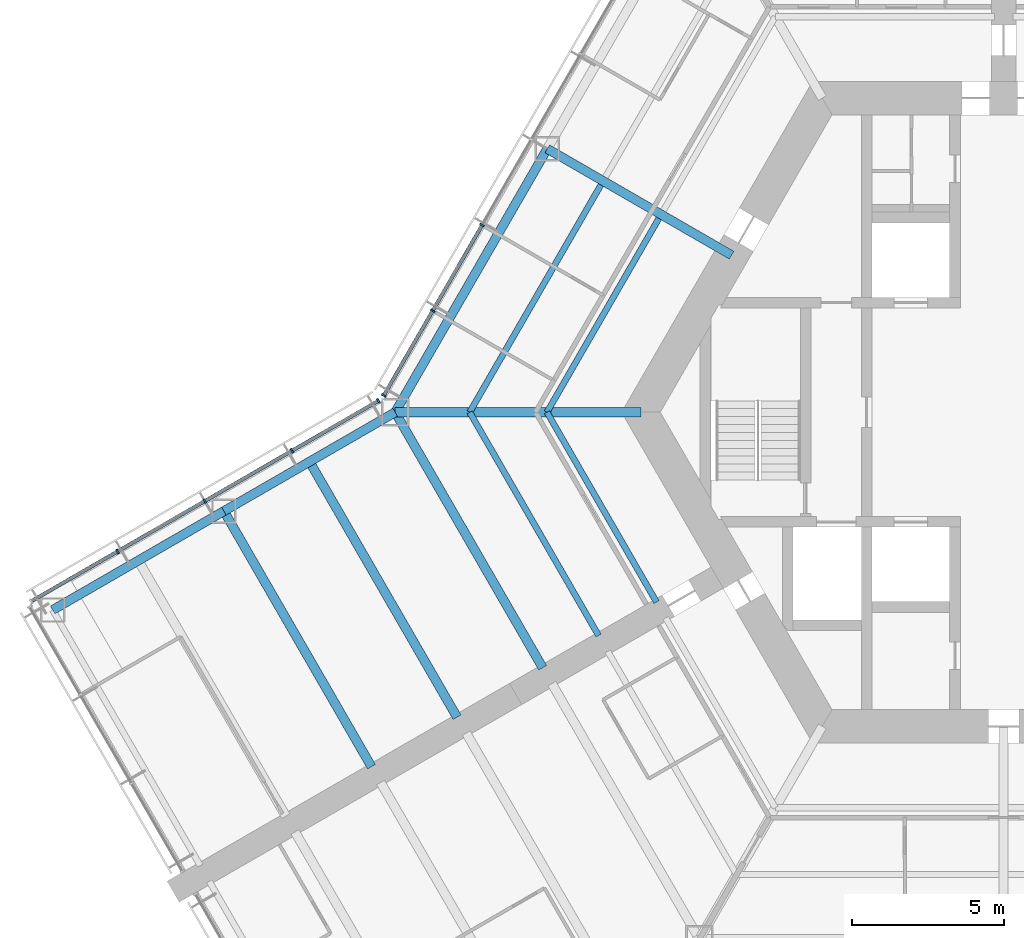
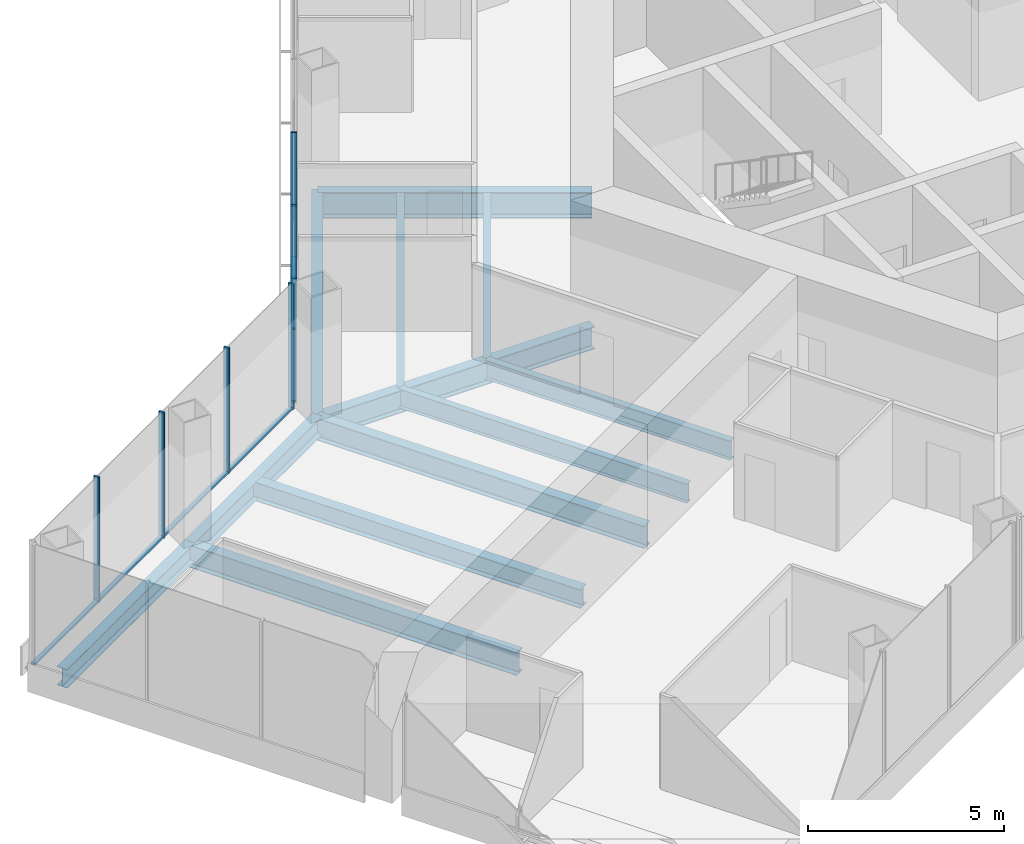
# One storey, part 4 of 19: 13 members, 12 beams, 2 elements without a shape of their own.
"""IFC4 building model written with IfcOpenShell, lengths in metres."""

import ifcopenshell
import ifcopenshell.guid

model = None  # the IFC model being written
_history = None  # IfcOwnerHistory: only IFC2X3 demands one
_inside = {}  # id of a spatial element -> (the spatial element, [elements in it])
_under = {}  # id of a project, library or spatial element -> (it, [spatial elements below it])
_declared = {}  # id of a project -> (the project, [libraries it declares])
_typed = {}  # id of a type object -> (the type object, [elements of that type])
_made_of = {}  # id of a material, layer set ... -> (it, [elements and type objects made of it])


def new_model(schema):
    """Start an empty IFC model of exactly this schema.

    Asked for "IFC4X3", IfcOpenShell would pick the latest addendum, in which some entities
    have other attributes; the version numbers below select the first issue.
    IFC2X3 requires an IfcOwnerHistory on every rooted entity: one is made here for all.
    """
    global model, _history
    if schema == "IFC4X3":
        model = ifcopenshell.file(schema_version=(4, 3, 0, 0))
    else:
        model = ifcopenshell.file(schema=schema)
    _inside.clear()
    _under.clear()
    _declared.clear()
    _typed.clear()
    _made_of.clear()
    _history = None
    if model.schema == "IFC2X3":
        org = make("IfcOrganization", Name="unknown")
        user = make(
            "IfcPersonAndOrganization",
            ThePerson=make("IfcPerson", FamilyName="unknown"),
            TheOrganization=org,
        )
        app = make(
            "IfcApplication",
            ApplicationDeveloper=org,
            Version="unknown",
            ApplicationFullName="unknown",
            ApplicationIdentifier="unknown",
        )
        _history = make(
            "IfcOwnerHistory",
            OwningUser=user,
            OwningApplication=app,
            ChangeAction="ADDED",
            CreationDate=0,
        )
    return model


def make(cls, **values):
    """One entity of the class cls with the attributes given. An attribute that is None is left unset."""
    return model.create_entity(
        cls, **{name: value for name, value in values.items() if value is not None}
    )


def rooted(cls, **values):
    """An entity with a GlobalId (a new one), such as an element, a storey or a relation."""
    return make(cls, GlobalId=ifcopenshell.guid.new(), OwnerHistory=_history, **values)


def si_unit(unit_type, name, prefix=None):
    """IfcSIUnit, for example si_unit("LENGTHUNIT", "METRE", prefix="MILLI")."""
    return make("IfcSIUnit", UnitType=unit_type, Prefix=prefix, Name=name)


def assignment(units):
    """IfcUnitAssignment: the units of a project."""
    return None if units is None else make("IfcUnitAssignment", Units=units)


def point(xyz):
    """IfcCartesianPoint."""
    return None if xyz is None else make("IfcCartesianPoint", Coordinates=xyz)


def direction(xyz):
    """IfcDirection."""
    return None if xyz is None else make("IfcDirection", DirectionRatios=xyz)


def frame(location, z_axis=None, x_axis=None):
    """IfcAxis2Placement3D, a coordinate frame: its origin and axes. An axis left out is left unset."""
    return make(
        "IfcAxis2Placement3D",
        Location=point(location),
        Axis=direction(z_axis),
        RefDirection=direction(x_axis),
    )


def frame_2d(location, x_axis=None):
    """IfcAxis2Placement2D, a coordinate frame in the plane: its origin and x axis."""
    return make(
        "IfcAxis2Placement2D", Location=point(location), RefDirection=direction(x_axis)
    )


def origin():
    """The frame at (0, 0, 0) with its axes left unset."""
    return frame((0.0, 0.0, 0.0))


def origin_2d():
    """The frame at (0, 0) in the plane with its x axis left unset."""
    return frame_2d((0.0, 0.0))


def place(relative_to, where):
    """IfcLocalPlacement: puts the frame where relative to a parent placement (None: the world)."""
    return make(
        "IfcLocalPlacement", PlacementRelTo=relative_to, RelativePlacement=where
    )


def context(
    kind, dimensions, precision=None, world=None, true_north=None, identifier=None
):
    """IfcGeometricRepresentationContext, for example the 3D "Model" context."""
    return make(
        "IfcGeometricRepresentationContext",
        ContextIdentifier=identifier,
        ContextType=kind,
        CoordinateSpaceDimension=dimensions,
        Precision=precision,
        WorldCoordinateSystem=world,
        TrueNorth=true_north,
    )


def subcontext(parent, identifier, kind, view, scale=None):
    """IfcGeometricRepresentationSubContext, for example "Body" below "Model"."""
    return make(
        "IfcGeometricRepresentationSubContext",
        ContextIdentifier=identifier,
        ContextType=kind,
        ParentContext=parent,
        TargetScale=scale,
        TargetView=view,
    )


def project(units=None, contexts=None):
    """IfcProject with its units and contexts."""
    return rooted(
        "IfcProject",
        Name="project",
        RepresentationContexts=contexts,
        UnitsInContext=assignment(units),
    )


def spatial(cls, under=None, at=None, **own):
    """A site, building, storey or space (cls), placed at a placement, below another one or the project."""
    s = rooted(cls, ObjectPlacement=at, **own)
    if under is not None:
        _under.setdefault(under.id(), (under, []))[1].append(s)
    return s


def profile(cls, at=None, kind="AREA", **sizes):
    """A parametric profile (cls). Its sizes go by their IFC names, for example OverallWidth=200.0."""
    return make(cls, ProfileType=kind, Position=at, **sizes)


def rectangle(**sizes):
    """IfcRectangleProfileDef."""
    return profile("IfcRectangleProfileDef", **sizes)


def i_section(**sizes):
    """IfcIShapeProfileDef."""
    return profile("IfcIShapeProfileDef", **sizes)


def extrude(swept, where, along, depth):
    """IfcExtrudedAreaSolid: the profile swept, set in the frame where, extruded along a direction by depth."""
    return make(
        "IfcExtrudedAreaSolid",
        SweptArea=swept,
        Position=where,
        ExtrudedDirection=direction(along),
        Depth=depth,
    )


def shape(context_of_items, identifier, shape_type, items):
    """IfcShapeRepresentation: the items that make up one representation, for example the "Body"."""
    return make(
        "IfcShapeRepresentation",
        ContextOfItems=context_of_items,
        RepresentationIdentifier=identifier,
        RepresentationType=shape_type,
        Items=items,
    )


def material(Name=None, Category=None):
    """IfcMaterial."""
    return make("IfcMaterial", Name=Name, Category=Category)


def material_profile(
    of_material, cross_section, Name=None, Category=None, Priority=None
):
    """IfcMaterialProfile: a cross section and its material."""
    return make(
        "IfcMaterialProfile",
        Name=Name,
        Material=of_material,
        Profile=cross_section,
        Priority=Priority,
        Category=Category,
    )


def profile_set(profiles, Name=None, composite=None):
    """IfcMaterialProfileSet."""
    return make(
        "IfcMaterialProfileSet",
        Name=Name,
        MaterialProfiles=profiles,
        CompositeProfile=composite,
    )


def made_of(thing, what):
    """Note that an element or type object is made of a material, layer set ...; save() writes the relation."""
    if what is not None:
        _made_of.setdefault(what.id(), (what, []))[1].append(thing)
    return thing


def type_object(cls, material=None, **own):
    """A type object (cls), such as IfcWallType, which elements share."""
    return made_of(rooted(cls, **own), material)


def element(
    cls,
    number,
    at=None,
    inside=None,
    cuts=None,
    type_object=None,
    material=None,
    context=None,
    identifier="Body",
    shape_type=None,
    held_by="IfcProductDefinitionShape",
    body=None,
    shapes=None,
    **own,
):
    """One element of the class cls, such as IfcWall. Its Tag is "e" and its number.

    at: its placement. inside: the storey or other place that contains it. cuts: it is an
    opening in that element (IfcRelVoidsElement). A single representation is given by context,
    identifier, shape_type and body (its items); several are given by shapes. held_by: the class
    of the entity that holds the representations. save() writes the other relations.
    """
    e = rooted(cls, Tag="e%d" % number, ObjectPlacement=at, **own)
    if body is not None:
        shapes = [shape(context, identifier, shape_type, body)]
    if shapes is not None:
        e.Representation = make(held_by, Representations=shapes)
    if inside is not None:
        _inside.setdefault(inside.id(), (inside, []))[1].append(e)
    if cuts is not None:
        rooted(
            "IfcRelVoidsElement", RelatingBuildingElement=cuts, RelatedOpeningElement=e
        )
    if type_object is not None:
        _typed.setdefault(type_object.id(), (type_object, []))[1].append(e)
    return made_of(e, material)


def aggregate(whole, parts):
    """IfcRelAggregates: a whole, such as a stair, and the parts it consists of."""
    return rooted("IfcRelAggregates", RelatingObject=whole, RelatedObjects=parts)


def save(model, path):
    """Write the relations noted so far, then the file.

    IfcRelAggregates (storeys below a building ...), IfcRelContainedInSpatialStructure (elements
    in a storey), IfcRelDefinesByType, IfcRelAssociatesMaterial and IfcRelDeclares: one each for
    every whole, place, type object, material and project.
    """
    for whole, parts in _under.values():
        aggregate(whole, parts)
    for where, things in _inside.values():
        rooted(
            "IfcRelContainedInSpatialStructure",
            RelatedElements=things,
            RelatingStructure=where,
        )
    for kind, things in _typed.values():
        rooted("IfcRelDefinesByType", RelatedObjects=things, RelatingType=kind)
    for what, things in _made_of.values():
        rooted("IfcRelAssociatesMaterial", RelatedObjects=things, RelatingMaterial=what)
    for by, libraries in _declared.values():
        rooted("IfcRelDeclares", RelatingContext=by, RelatedDefinitions=libraries)
    model.write(path)


model = new_model("IFC4")

# Units and contexts
model_context = context("Model", 3, precision=1e-05, world=origin(), true_north=direction((0.0, 1.0)))
body_context = subcontext(model_context, "Body", "Model", "MODEL_VIEW")
ifc_project = project(units=[si_unit("LENGTHUNIT", "METRE"), si_unit("AREAUNIT", "SQUARE_METRE"), si_unit("VOLUMEUNIT", "CUBIC_METRE"), si_unit("PLANEANGLEUNIT", "RADIAN"), si_unit("MASSUNIT", "GRAM", prefix="KILO")], contexts=[model_context])

# Site, building, storey
site_placement = place(None, origin())
site = spatial("IfcSite", under=ifc_project, at=site_placement, CompositionType="ELEMENT")
building_placement = place(site_placement, origin())
building = spatial("IfcBuilding", under=site, at=building_placement, Name="Kasaneha Research Tower", CompositionType="ELEMENT")
storey_placement = place(building_placement, frame((0.0, 0.0, 92.39990234375)))
storey = spatial("IfcBuildingStorey", under=building, at=storey_placement, Name="L23", CompositionType="ELEMENT", Elevation=92.39990234375)

# Beams
ifc_material_1 = material(Name="Steel SN490B", Category="steel")
ifc_material_profile_1 = material_profile(ifc_material_1, i_section(OverallWidth=0.199951171875, OverallDepth=0.60009765625, WebThickness=0.010986328125, FlangeThickness=0.01708984375, FilletRadius=0.012939453125, at=origin_2d()), Name="H-600x200x11x17")
ifc_profile_set_1 = profile_set([ifc_material_profile_1], Name="Steel SN490B")
beam_type_1 = type_object("IfcBeamType", Name="B1-3 secondary beam H-600x200x11x17", PredefinedType="JOIST", material=ifc_profile_set_1)
beam_1_placement = place(storey_placement, frame((-15.010986328125, 0.0, -0.449951171875), z_axis=(0.499994443168, 0.866028611999, 0.0), x_axis=(-0.866028611999, 0.499994443168, 0.0)))
element("IfcBeam", 1, at=beam_1_placement, inside=storey, type_object=beam_type_1, Name="Secondary beam RS150R1 L23", PredefinedType="JOIST", context=body_context, shape_type="SweptSolid", body=[
    extrude(i_section(OverallWidth=0.199951171875, OverallDepth=0.60009765625, WebThickness=0.010986328125, FlangeThickness=0.01708984375, FilletRadius=0.012939453125, at=origin_2d()), origin(), (0.0, 0.0, 1.0), 7.35546875),
])
beam_2_placement = place(storey_placement, frame((-17.551513671875, 0.0, -0.449951171875), z_axis=(0.5000050195, 0.866022505755, 0.0), x_axis=(-0.866022505755, 0.5000050195, 0.0)))
element("IfcBeam", 2, at=beam_2_placement, inside=storey, type_object=beam_type_1, Name="Secondary beam RS150R2 L23", PredefinedType="JOIST", context=body_context, shape_type="SweptSolid", body=[
    extrude(i_section(OverallWidth=0.199951171875, OverallDepth=0.60009765625, WebThickness=0.010986328125, FlangeThickness=0.01708984375, FilletRadius=0.012939453125, at=origin_2d()), origin(), (0.0, 0.0, 1.0), 8.6259765625),
])
beam_3_placement = place(storey_placement, frame((-15.010986328125, 0.0, -0.449951171875), z_axis=(0.499972735707, -0.866041144259, 0.0), x_axis=(0.866041144259, 0.499972735707, 0.0)))
element("IfcBeam", 3, at=beam_3_placement, inside=storey, type_object=beam_type_1, Name="Secondary beam RS210L1 L23", PredefinedType="JOIST", context=body_context, shape_type="SweptSolid", body=[
    extrude(i_section(OverallWidth=0.199951171875, OverallDepth=0.60009765625, WebThickness=0.010986328125, FlangeThickness=0.01708984375, FilletRadius=0.012939453125, at=origin_2d()), origin(), (0.0, 0.0, 1.0), 7.20556640625),
])
beam_4_placement = place(storey_placement, frame((-17.551513671875, 0.0, -0.449951171875), z_axis=(0.500020829043, -0.866013377797, 0.0), x_axis=(0.866013377797, 0.500020829043, 0.0)))
element("IfcBeam", 4, at=beam_4_placement, inside=storey, type_object=beam_type_1, Name="Secondary beam RS210L2 L23", PredefinedType="JOIST", context=body_context, shape_type="SweptSolid", body=[
    extrude(i_section(OverallWidth=0.199951171875, OverallDepth=0.60009765625, WebThickness=0.010986328125, FlangeThickness=0.01708984375, FilletRadius=0.012939453125, at=origin_2d()), origin(), (0.0, 0.0, 1.0), 8.475830078125),
])
ifc_material_2 = material(Name="Steel SN490B", Category="steel")
ifc_material_profile_2 = material_profile(ifc_material_2, i_section(OverallWidth=0.300048828125, OverallDepth=0.58203125, WebThickness=0.011962890625, FlangeThickness=0.01708984375, FilletRadius=0.012939453125, at=origin_2d()), Name="H-582x300x12x17")
ifc_profile_set_2 = profile_set([ifc_material_profile_2], Name="Steel SN490B")
beam_type_2 = type_object("IfcBeamType", Name="B2-3 secondary beam H-582x300x12x17", PredefinedType="JOIST", material=ifc_profile_set_2)
beam_5_placement = place(storey_placement, frame((-22.814697265625, -1.625, -0.44091796875), z_axis=(0.500010041276, -0.866019606374, 0.0), x_axis=(0.866019606374, 0.500010041276, 0.0)))
element("IfcBeam", 5, at=beam_5_placement, inside=storey, type_object=beam_type_2, Name="Secondary beam WBBP1 L23", PredefinedType="JOIST", context=body_context, shape_type="SweptSolid", body=[
    extrude(i_section(OverallWidth=0.300048828125, OverallDepth=0.58203125, WebThickness=0.011962890625, FlangeThickness=0.01708984375, FilletRadius=0.012939453125, at=origin_2d()), origin(), (0.0, 0.0, 1.0), 9.699951171875),
])

# Curtain wall, members
ifc_material_3 = material(Name="Glass and aluminium", Category="aluminium")
curtain_wall_type = type_object("IfcCurtainWallType", Name="Low-rise office curtain wall", PredefinedType="USERDEFINED", material=ifc_material_3)
curtain_wall_1_placement = place(storey_placement, origin())
curtain_wall_1 = element("IfcCurtainWall", 6, at=curtain_wall_1_placement, inside=storey, type_object=curtain_wall_type, Name="CW-O1 L23 run 12a", ObjectType="UNITISED CURTAIN WALL", PredefinedType="USERDEFINED")
ifc_material_4 = material(Name="Aluminium 6063-T6", Category="aluminium")
ifc_material_profile_3 = material_profile(ifc_material_4, rectangle(XDim=0.06005859375, YDim=0.159912109375, at=origin_2d()), Name="CW-O1 mullion 60x160")
ifc_profile_set_3 = profile_set([ifc_material_profile_3], Name="Aluminium 6063-T6")
member_type_1 = type_object("IfcMemberType", Name="CW-O1 mullion", PredefinedType="MULLION", material=ifc_profile_set_3)
member_1_placement = place(storey_placement, frame((-17.142822265625, 6.148681640625, 0.0), z_axis=(0.0, 0.0, 1.0), x_axis=(-0.49999996188, -0.866025425793, 0.0)))
member_1 = element("IfcMember", 7, at=member_1_placement, type_object=member_type_1, Name="CW-O1 mullion 5", PredefinedType="MULLION", context=body_context, shape_type="SweptSolid", body=[
    extrude(rectangle(XDim=0.06005859375, YDim=0.159912109375, at=origin_2d()), origin(), (0.0, 0.0, 1.0), 3.900146484375),
])
member_2_placement = place(storey_placement, frame((-18.76611328125, 3.33740234375, 0.0), z_axis=(0.0, 0.0, 1.0), x_axis=(-0.49999996188, -0.866025425793, 0.0)))
member_2 = element("IfcMember", 8, at=member_2_placement, type_object=member_type_1, Name="CW-O1 mullion 6", PredefinedType="MULLION", context=body_context, shape_type="SweptSolid", body=[
    extrude(rectangle(XDim=0.06005859375, YDim=0.159912109375, at=origin_2d()), origin(), (0.0, 0.0, 1.0), 3.900146484375),
])
member_3_placement = place(storey_placement, frame((-20.374267578125, 0.5517578125, 0.0), z_axis=(0.0, 0.0, 1.0), x_axis=(-0.49999996188, -0.866025425793, 0.0)))
member_3 = element("IfcMember", 9, at=member_3_placement, type_object=member_type_1, Name="CW-O1 mullion 7", PredefinedType="MULLION", context=body_context, shape_type="SweptSolid", body=[
    extrude(rectangle(XDim=0.06005859375, YDim=0.159912109375, at=origin_2d()), origin(), (0.0, 0.0, 1.0), 3.900146484375),
])

curtain_wall_2_placement = place(storey_placement, origin())
curtain_wall_2 = element("IfcCurtainWall", 10, at=curtain_wall_2_placement, inside=storey, type_object=curtain_wall_type, Name="CW-O1 L23 run 13a", ObjectType="UNITISED CURTAIN WALL", PredefinedType="USERDEFINED")
member_4_placement = place(storey_placement, frame((-20.5517578125, 0.374267578125, 0.0), z_axis=(0.0, 0.0, 1.0), x_axis=(-0.866025411464, -0.499999986699, 0.0)))
member_4 = element("IfcMember", 11, at=member_4_placement, type_object=member_type_1, Name="CW-O1 mullion 1", PredefinedType="MULLION", context=body_context, shape_type="SweptSolid", body=[
    extrude(rectangle(XDim=0.06005859375, YDim=0.159912109375, at=origin_2d()), origin(), (0.0, 0.0, 1.0), 3.900146484375),
])
member_5_placement = place(storey_placement, frame((-23.39208984375, -1.265625, 0.0), z_axis=(0.0, 0.0, 1.0), x_axis=(-0.866025411464, -0.499999986699, 0.0)))
member_5 = element("IfcMember", 12, at=member_5_placement, type_object=member_type_1, Name="CW-O1 mullion 2", PredefinedType="MULLION", context=body_context, shape_type="SweptSolid", body=[
    extrude(rectangle(XDim=0.06005859375, YDim=0.159912109375, at=origin_2d()), origin(), (0.0, 0.0, 1.0), 3.900146484375),
])
member_6_placement = place(storey_placement, frame((-26.258544921875, -2.920654296875, 0.0), z_axis=(0.0, 0.0, 1.0), x_axis=(-0.866025411464, -0.499999986699, 0.0)))
member_6 = element("IfcMember", 13, at=member_6_placement, type_object=member_type_1, Name="CW-O1 mullion 3", PredefinedType="MULLION", context=body_context, shape_type="SweptSolid", body=[
    extrude(rectangle(XDim=0.06005859375, YDim=0.159912109375, at=origin_2d()), origin(), (0.0, 0.0, 1.0), 3.900146484375),
])
member_7_placement = place(storey_placement, frame((-29.125, -4.575439453125, 0.0), z_axis=(0.0, 0.0, 1.0), x_axis=(-0.866025411464, -0.499999986699, 0.0)))
member_7 = element("IfcMember", 14, at=member_7_placement, type_object=member_type_1, Name="CW-O1 mullion 4", PredefinedType="MULLION", context=body_context, shape_type="SweptSolid", body=[
    extrude(rectangle(XDim=0.06005859375, YDim=0.159912109375, at=origin_2d()), origin(), (0.0, 0.0, 1.0), 3.900146484375),
])

# Member
ifc_material_5 = material(Name="Aluminium 6063-T6", Category="aluminium")
ifc_material_profile_4 = material_profile(ifc_material_5, rectangle(XDim=0.1201171875, YDim=0.06005859375, at=origin_2d()), Name="CW-O1 transom 120x60")
ifc_profile_set_4 = profile_set([ifc_material_profile_4], Name="Aluminium 6063-T6")
member_type_2 = type_object("IfcMemberType", Name="CW-O1 transom", PredefinedType="USERDEFINED", material=ifc_profile_set_4)
member_8_placement = place(storey_placement, frame((-17.15771484375, 6.122802734375, 0.030029296875), z_axis=(-0.500012062035, -0.866018439653, 0.0), x_axis=(0.866018439653, -0.500012062035, 0.0)))
member_8 = element("IfcMember", 15, at=member_8_placement, type_object=member_type_2, Name="CW-O1 transom 5", ObjectType="TRANSOM", PredefinedType="USERDEFINED", context=body_context, shape_type="SweptSolid", body=[
    extrude(rectangle(XDim=0.1201171875, YDim=0.06005859375, at=origin_2d()), origin(), (0.0, 0.0, 1.0), 3.1865234375),
])

member_9_placement = place(storey_placement, frame((-18.781005859375, 3.311279296875, 0.030029296875), z_axis=(-0.499999210213, -0.866025859768, 0.0), x_axis=(0.866025859768, -0.499999210213, 0.0)))
member_9 = element("IfcMember", 16, at=member_9_placement, type_object=member_type_2, Name="CW-O1 transom 6", ObjectType="TRANSOM", PredefinedType="USERDEFINED", context=body_context, shape_type="SweptSolid", body=[
    extrude(rectangle(XDim=0.1201171875, YDim=0.06005859375, at=origin_2d()), origin(), (0.0, 0.0, 1.0), 3.15625),
])

aggregate(curtain_wall_1, [member_1, member_2, member_3, member_8, member_9])

member_10_placement = place(storey_placement, frame((-20.577880859375, 0.359130859375, 0.030029296875), z_axis=(-0.866022692473, -0.500004696101, 0.0), x_axis=(0.500004696101, -0.866022692473, 0.0)))
member_10 = element("IfcMember", 17, at=member_10_placement, type_object=member_type_2, Name="CW-O1 transom 1", ObjectType="TRANSOM", PredefinedType="USERDEFINED", context=body_context, shape_type="SweptSolid", body=[
    extrude(rectangle(XDim=0.1201171875, YDim=0.06005859375, at=origin_2d()), origin(), (0.0, 0.0, 1.0), 3.2197265625),
])

member_11_placement = place(storey_placement, frame((-23.418212890625, -1.28076171875, 0.030029296875), z_axis=(-0.86604797581, -0.499960902066, 0.0), x_axis=(0.499960902066, -0.86604797581, 0.0)))
member_11 = element("IfcMember", 18, at=member_11_placement, type_object=member_type_2, Name="CW-O1 transom 2", ObjectType="TRANSOM", PredefinedType="USERDEFINED", context=body_context, shape_type="SweptSolid", body=[
    extrude(rectangle(XDim=0.1201171875, YDim=0.06005859375, at=origin_2d()), origin(), (0.0, 0.0, 1.0), 3.249755859375),
])

member_12_placement = place(storey_placement, frame((-26.28466796875, -2.935546875, 0.030029296875), z_axis=(-0.86599666273, -0.500049777664, 0.0), x_axis=(0.500049777664, -0.86599666273, 0.0)))
member_12 = element("IfcMember", 19, at=member_12_placement, type_object=member_type_2, Name="CW-O1 transom 3", ObjectType="TRANSOM", PredefinedType="USERDEFINED", context=body_context, shape_type="SweptSolid", body=[
    extrude(rectangle(XDim=0.1201171875, YDim=0.06005859375, at=origin_2d()), origin(), (0.0, 0.0, 1.0), 3.249755859375),
])

member_13_placement = place(storey_placement, frame((-29.15087890625, -4.590576171875, 0.030029296875), z_axis=(-0.866041647767, -0.499971863542, 0.0), x_axis=(0.499971863542, -0.866041647767, 0.0)))
member_13 = element("IfcMember", 20, at=member_13_placement, type_object=member_type_2, Name="CW-O1 transom 4", ObjectType="TRANSOM", PredefinedType="USERDEFINED", context=body_context, shape_type="SweptSolid", body=[
    extrude(rectangle(XDim=0.1201171875, YDim=0.06005859375, at=origin_2d()), origin(), (0.0, 0.0, 1.0), 3.219970703125),
])

aggregate(curtain_wall_2, [member_4, member_5, member_6, member_7, member_10, member_11, member_12, member_13])

# Beams
ifc_material_6 = material(Name="Steel SN490B", Category="steel")
ifc_material_profile_5 = material_profile(ifc_material_6, i_section(OverallWidth=0.300048828125, OverallDepth=0.699951171875, WebThickness=0.012939453125, FlangeThickness=0.02392578125, FilletRadius=0.01806640625, at=origin_2d()), Name="H-700x300x13x24")
ifc_profile_set_5 = profile_set([ifc_material_profile_5], Name="Steel SN490B")
beam_type_3 = type_object("IfcBeamType", Name="G1-3 radial girder H-700x300x13x24", PredefinedType="BEAM", material=ifc_profile_set_5)
beam_6_placement = place(storey_placement, frame((-11.92236328125, 0.0, -0.5), z_axis=(-1.0, 0.0, 0.0), x_axis=(0.0, -1.0, 0.0)))
element("IfcBeam", 21, at=beam_6_placement, inside=storey, type_object=beam_type_3, Name="Radial girder RV180 L23", PredefinedType="BEAM", context=body_context, shape_type="SweptSolid", body=[
    extrude(i_section(OverallWidth=0.300048828125, OverallDepth=0.699951171875, WebThickness=0.012939453125, FlangeThickness=0.02392578125, FilletRadius=0.01806640625, at=origin_2d()), origin(), (0.0, 0.0, 1.0), 8.07763671875),
])
ifc_material_7 = material(Name="Steel SN490B", Category="steel")
ifc_material_profile_6 = material_profile(ifc_material_7, i_section(OverallWidth=0.300048828125, OverallDepth=0.800048828125, WebThickness=0.013916015625, FlangeThickness=0.02587890625, FilletRadius=0.01806640625, at=origin_2d()), Name="H-800x300x14x26")
ifc_profile_set_6 = profile_set([ifc_material_profile_6], Name="Steel SN490B")
beam_type_4 = type_object("IfcBeamType", Name="G2-3 radial girder H-800x300x14x26", PredefinedType="BEAM", material=ifc_profile_set_6)
beam_7_placement = place(storey_placement, frame((-8.941650390625, 5.16259765625, -0.5498046875), z_axis=(-0.866039713508, 0.499975214012, 0.0), x_axis=(-0.499975214012, -0.866039713508, 0.0)))
element("IfcBeam", 22, at=beam_7_placement, inside=storey, type_object=beam_type_4, Name="Radial girder RM150 L23", PredefinedType="BEAM", context=body_context, shape_type="SweptSolid", body=[
    extrude(i_section(OverallWidth=0.300048828125, OverallDepth=0.800048828125, WebThickness=0.013916015625, FlangeThickness=0.02587890625, FilletRadius=0.01806640625, at=origin_2d()), origin(), (0.0, 0.0, 1.0), 6.995361328125),
])
ifc_material_8 = material(Name="Steel SN490B", Category="steel")
ifc_material_profile_7 = material_profile(ifc_material_8, i_section(OverallWidth=0.300048828125, OverallDepth=0.69189453125, WebThickness=0.012939453125, FlangeThickness=0.02001953125, FilletRadius=0.01806640625, at=origin_2d()), Name="H-692x300x13x20")
ifc_profile_set_7 = profile_set([ifc_material_profile_7], Name="Steel SN490B")
beam_type_5 = type_object("IfcBeamType", Name="G3-3 plate edge girder H-692x300x13x20", PredefinedType="BEAM", material=ifc_profile_set_7)
beam_8_placement = place(storey_placement, frame((-20.0, 0.0, -0.495849609375), z_axis=(0.500010041276, -0.866019606374, 0.0), x_axis=(0.866019606374, 0.500010041276, 0.0)))
element("IfcBeam", 23, at=beam_8_placement, inside=storey, type_object=beam_type_5, Name="Plate edge girder PEBP L23", PredefinedType="BEAM", context=body_context, shape_type="SweptSolid", body=[
    extrude(i_section(OverallWidth=0.300048828125, OverallDepth=0.69189453125, WebThickness=0.012939453125, FlangeThickness=0.02001953125, FilletRadius=0.01806640625, at=origin_2d()), origin(), (0.0, 0.0, 1.0), 9.699951171875),
])
ifc_material_9 = material(Name="Steel SN490B", Category="steel")
ifc_material_profile_8 = material_profile(ifc_material_9, i_section(OverallWidth=0.300048828125, OverallDepth=0.699951171875, WebThickness=0.012939453125, FlangeThickness=0.02392578125, FilletRadius=0.01806640625, at=origin_2d()), Name="H-700x300x13x24")
ifc_profile_set_8 = profile_set([ifc_material_profile_8], Name="Steel SN490B")
beam_type_6 = type_object("IfcBeamType", Name="G4-3 wing girder H-700x300x13x24", PredefinedType="BEAM", material=ifc_profile_set_8)
beam_9_placement = place(storey_placement, frame((-25.629150390625, -3.25, -0.5), z_axis=(0.500010041276, -0.866019606374, 0.0), x_axis=(0.866019606374, 0.500010041276, 0.0)))
element("IfcBeam", 24, at=beam_9_placement, inside=storey, type_object=beam_type_6, Name="Wing girder WGBP L23", PredefinedType="BEAM", context=body_context, shape_type="SweptSolid", body=[
    extrude(i_section(OverallWidth=0.300048828125, OverallDepth=0.699951171875, WebThickness=0.012939453125, FlangeThickness=0.02392578125, FilletRadius=0.01806640625, at=origin_2d()), origin(), (0.0, 0.0, 1.0), 9.699951171875),
])
ifc_material_10 = material(Name="Steel SN490B", Category="steel")
ifc_material_profile_9 = material_profile(ifc_material_10, i_section(OverallWidth=0.300048828125, OverallDepth=0.69189453125, WebThickness=0.012939453125, FlangeThickness=0.02001953125, FilletRadius=0.01806640625, at=origin_2d()), Name="H-692x300x13x20")
ifc_profile_set_9 = profile_set([ifc_material_profile_9], Name="Steel SN490B")
beam_type_7 = type_object("IfcBeamType", Name="SB1-3 spandrel beam H-692x300x13x20", PredefinedType="SPANDREL", material=ifc_profile_set_9)
beam_10_placement = place(storey_placement, frame((-20.0, 0.0, -0.495849609375), z_axis=(0.500004234368, 0.866022959057, 0.0), x_axis=(-0.866022959057, 0.500004234368, 0.0)))
element("IfcBeam", 25, at=beam_10_placement, inside=storey, type_object=beam_type_7, Name="Spandrel beam SR150R L23", PredefinedType="SPANDREL", context=body_context, shape_type="SweptSolid", body=[
    extrude(i_section(OverallWidth=0.300048828125, OverallDepth=0.69189453125, WebThickness=0.012939453125, FlangeThickness=0.02001953125, FilletRadius=0.01806640625, at=origin_2d()), origin(), (0.0, 0.0, 1.0), 10.0),
])
ifc_material_11 = material(Name="Steel SN490B", Category="steel")
ifc_material_profile_10 = material_profile(ifc_material_11, i_section(OverallWidth=0.300048828125, OverallDepth=0.58203125, WebThickness=0.011962890625, FlangeThickness=0.01708984375, FilletRadius=0.012939453125, at=origin_2d()), Name="H-582x300x12x17")
ifc_profile_set_10 = profile_set([ifc_material_profile_10], Name="Steel SN490B")
beam_type_8 = type_object("IfcBeamType", Name="SB2-3 spandrel beam H-582x300x12x17", PredefinedType="SPANDREL", material=ifc_profile_set_10)
for number, where, z_axis, x_axis, name in (
    (26, (-20.0, 0.0, -0.44091796875), (-0.866024837091, -0.50000098154, 0.0), (0.50000098154, -0.866024837091, 0.0), "Spandrel beam WSBP1 L23"),
    (27, (-25.629150390625, -3.25, -0.44091796875), (-0.866024837091, -0.50000098154, 0.0), (0.50000098154, -0.866024837091, 0.0), "Spandrel beam WSBP2 L23"),
):
    element("IfcBeam", number, at=place(storey_placement, frame(where, z_axis=z_axis, x_axis=x_axis)), inside=storey, type_object=beam_type_8, Name=name, PredefinedType="SPANDREL", context=body_context, shape_type="SweptSolid", body=[
        extrude(i_section(OverallWidth=0.300048828125, OverallDepth=0.58203125, WebThickness=0.011962890625, FlangeThickness=0.01708984375, FilletRadius=0.012939453125, at=origin_2d()), origin(), (0.0, 0.0, 1.0), 6.5),
    ])

save(model, "model.ifc")
